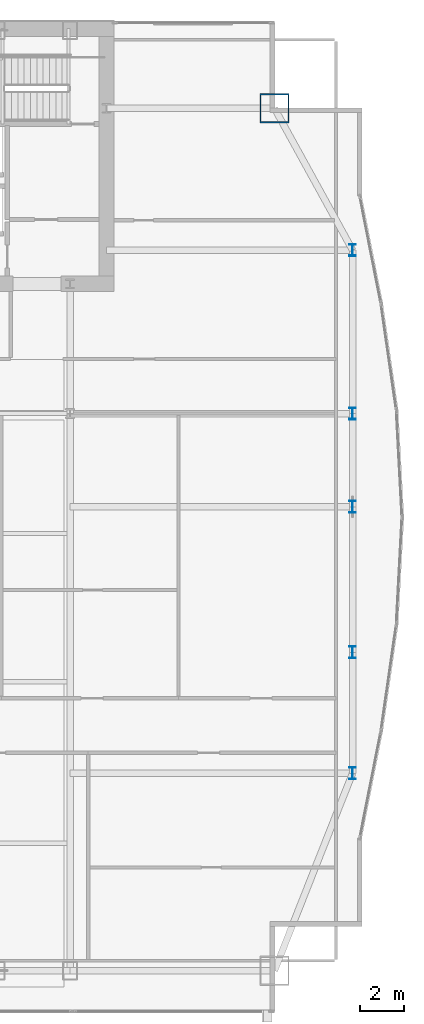
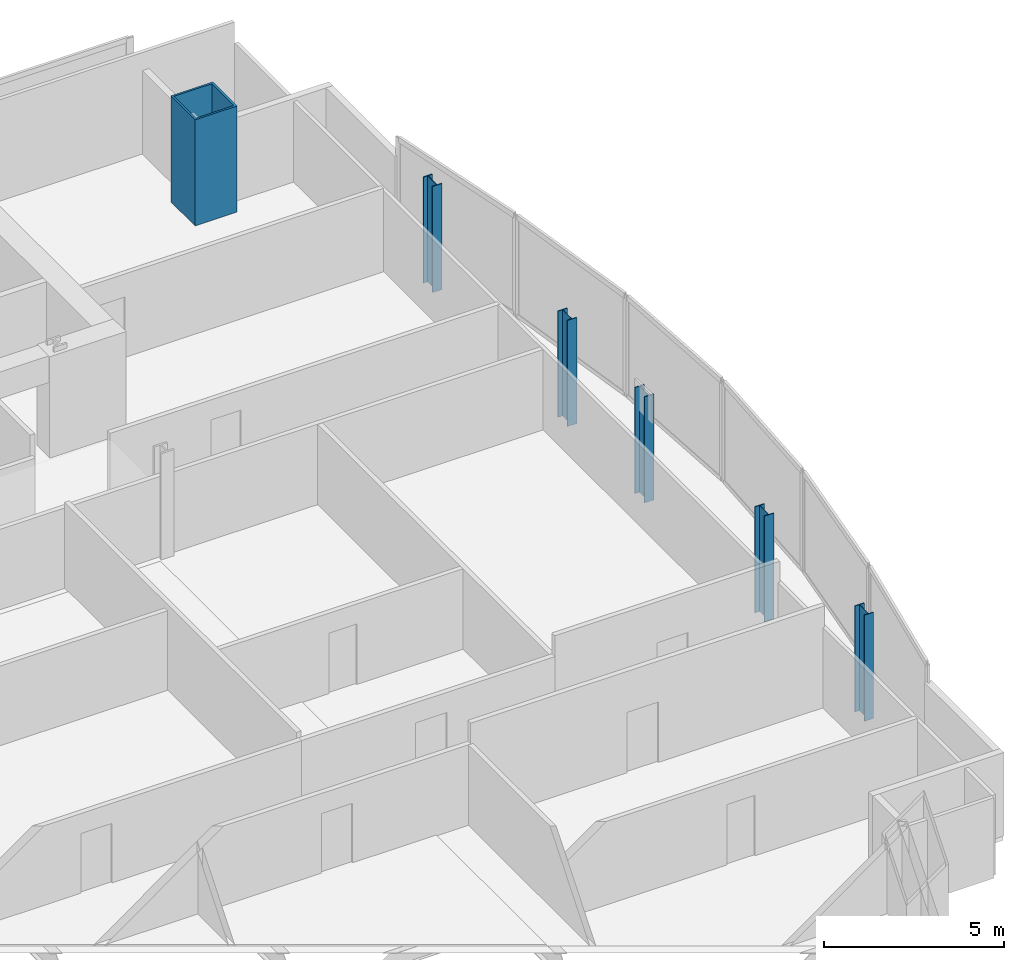
# One storey, part 4 of 29: 6 columns.
"""IFC4 building model written with IfcOpenShell, lengths in metres."""

from ifc_helpers import new_model, si_unit, direction, frame, origin, origin_2d, place, context, subcontext, project, spatial, hollow_rectangle, i_section, extrude, material, material_profile, profile_set, type_object, element, save


model = new_model("IFC4")

# Units and contexts
model_context = context("Model", 3, precision=1e-05, world=origin(), true_north=direction((0.0, 1.0)))
body_context = subcontext(model_context, "Body", "Model", "MODEL_VIEW")
ifc_project = project(units=[si_unit("LENGTHUNIT", "METRE"), si_unit("AREAUNIT", "SQUARE_METRE"), si_unit("VOLUMEUNIT", "CUBIC_METRE"), si_unit("PLANEANGLEUNIT", "RADIAN"), si_unit("MASSUNIT", "GRAM", prefix="KILO")], contexts=[model_context])

# Site, building, storey
site_placement = place(None, origin())
site = spatial("IfcSite", under=ifc_project, at=site_placement, CompositionType="ELEMENT")
building_placement = place(site_placement, origin())
building = spatial("IfcBuilding", under=site, at=building_placement, Name="Khoronbel Lancet Exchange", CompositionType="ELEMENT")
storey_placement = place(building_placement, frame((0.0, 0.0, 154.199951171875)))
storey = spatial("IfcBuildingStorey", under=building, at=storey_placement, Name="L38", CompositionType="ELEMENT", Elevation=154.199951171875)

# Columns
ifc_material_1 = material(Name="Steel S355", Category="steel")
ifc_material_profile_1 = material_profile(ifc_material_1, i_section(OverallWidth=0.300048828125, OverallDepth=0.550048828125, WebThickness=0.014892578125, FlangeThickness=0.029052734375, at=origin_2d()), Name="HEB 550")
ifc_profile_set_1 = profile_set([ifc_material_profile_1], Name="Steel S355")
column_type_1 = type_object("IfcColumnType", Name="COL-LC1", PredefinedType="COLUMN", material=ifc_profile_set_1)
for number, where, z_axis, x_axis, name in (
    (1, (67.6298828125, 19.199951171875, 0.0), (0.0, 0.0, 1.0), (1.0, 0.0, 0.0), "Structural column EC-1 L38"),
    (2, (67.6298828125, 24.75, 0.0), (0.0, 0.0, 1.0), (1.0, 0.0, 0.0), "Structural column EC-2 L38"),
    (3, (67.6298828125, 31.425048828125, 0.0), (0.0, 0.0, 1.0), (1.0, 0.0, 0.0), "Structural column EC-M L38"),
    (4, (67.6298828125, 35.699951171875, 0.0), (0.0, 0.0, 1.0), (1.0, 0.0, 0.0), "Structural column EC-3 L38"),
    (5, (67.6298828125, 43.199951171875, 0.0), (0.0, 0.0, 1.0), (1.0, 0.0, 0.0), "Structural column EC-4 L38"),
):
    element("IfcColumn", number, at=place(storey_placement, frame(where, z_axis=z_axis, x_axis=x_axis)), inside=storey, type_object=column_type_1, Name=name, PredefinedType="COLUMN", context=body_context, shape_type="SweptSolid", body=[
        extrude(i_section(OverallWidth=0.300048828125, OverallDepth=0.550048828125, WebThickness=0.014892578125, FlangeThickness=0.029052734375, at=origin_2d()), origin(), (0.0, 0.0, 1.0), 3.60009765625),
    ])
ifc_material_2 = material(Name="Steel S460", Category="steel")
ifc_material_profile_2 = material_profile(ifc_material_2, hollow_rectangle(XDim=1.35009765625, YDim=1.35009765625, WallThickness=0.06494140625, at=origin_2d()), Name="BOX 1350x1350x65")
ifc_profile_set_2 = profile_set([ifc_material_profile_2], Name="Steel S460")
column_type_2 = type_object("IfcColumnType", Name="COL-MC4", PredefinedType="COLUMN", material=ifc_profile_set_2)
column_placement = place(storey_placement, frame((64.050048828125, 49.699951171875, 0.0), z_axis=(0.0, 0.0, 1.0), x_axis=(1.0, 0.0, 0.0)))
element("IfcColumn", 6, at=column_placement, inside=storey, type_object=column_type_2, Name="Structural column MC-NE L38", PredefinedType="COLUMN", context=body_context, shape_type="SweptSolid", body=[
    extrude(hollow_rectangle(XDim=1.35009765625, YDim=1.35009765625, WallThickness=0.06494140625, at=origin_2d()), origin(), (0.0, 0.0, 1.0), 3.60009765625),
])

save(model, "model.ifc")
